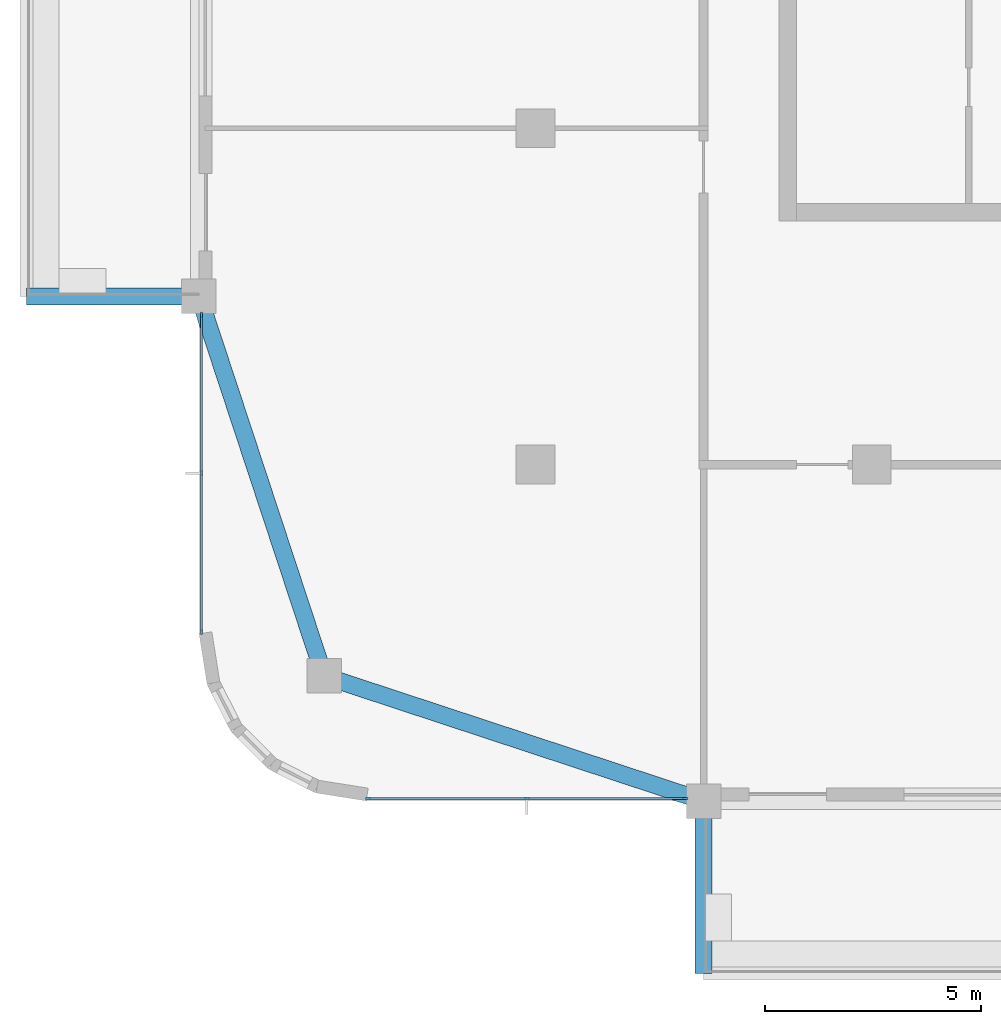
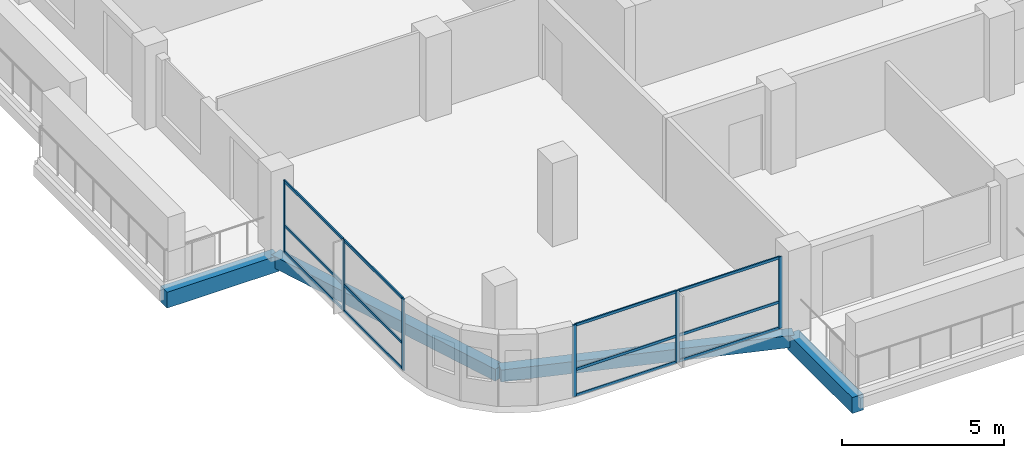
# One storey, part 2 of 22: 18 members, 4 beams, 2 elements without a shape of their own.
"""IFC4 building model written with IfcOpenShell, lengths in metres."""

from ifc_helpers import new_model, si_unit, direction, frame, origin, origin_2d, place, context, subcontext, project, spatial, rectangle, extrude, material, material_profile, profile_set, type_object, element, aggregate, save


model = new_model("IFC4")

# Units and contexts
model_context = context("Model", 3, precision=1e-05, world=origin(), true_north=direction((0.0, 1.0)))
body_context = subcontext(model_context, "Body", "Model", "MODEL_VIEW")
ifc_project = project(units=[si_unit("LENGTHUNIT", "METRE"), si_unit("AREAUNIT", "SQUARE_METRE"), si_unit("VOLUMEUNIT", "CUBIC_METRE"), si_unit("PLANEANGLEUNIT", "RADIAN"), si_unit("MASSUNIT", "GRAM", prefix="KILO")], contexts=[model_context])

# Site, building, storey
site_placement = place(None, origin())
site = spatial("IfcSite", under=ifc_project, at=site_placement, CompositionType="ELEMENT")
building_placement = place(site_placement, origin())
building = spatial("IfcBuilding", under=site, at=building_placement, Name="Ludao Terraces", CompositionType="ELEMENT")
storey_placement = place(building_placement, frame((0.0, 0.0, 200.699951171875)))
storey = spatial("IfcBuildingStorey", under=building, at=storey_placement, Name="L54", CompositionType="ELEMENT", Elevation=200.699951171875)

# Curtain wall, members
ifc_material_1 = material(Name="Aluminium curtain wall with fritted glass", Category="aluminium")
curtain_wall_type = type_object("IfcCurtainWallType", Name="ENV CW3 community glazing", PredefinedType="NOTDEFINED", material=ifc_material_1)
curtain_wall_1_placement = place(storey_placement, origin())
curtain_wall_1 = element("IfcCurtainWall", 1, at=curtain_wall_1_placement, inside=storey, type_object=curtain_wall_type, Name="Community floor glazing L54 S1", PredefinedType="NOTDEFINED")
ifc_material_2 = material(Name="Aluminium 6063-T6", Category="aluminium")
ifc_material_profile_1 = material_profile(ifc_material_2, rectangle(XDim=0.050048828125, YDim=0.1201171875, at=origin_2d()), Name="50 X 120")
ifc_profile_set_1 = profile_set([ifc_material_profile_1], Name="Aluminium 6063-T6")
member_type_1 = type_object("IfcMemberType", Name="ENV CW3 mullion 50x120", PredefinedType="MULLION", material=ifc_profile_set_1)
member_1_placement = place(storey_placement, frame((65.52490234375, 41.659912109375, 0.0), z_axis=(0.0, 0.0, 1.0), x_axis=(0.0, 1.0, 0.0)))
member_1 = element("IfcMember", 2, at=member_1_placement, type_object=member_type_1, Name="CW3 mullion 1", PredefinedType="MULLION", context=body_context, shape_type="SweptSolid", body=[
    extrude(rectangle(XDim=0.050048828125, YDim=0.1201171875, at=origin_2d()), origin(), (0.0, 0.0, 1.0), 2.699951171875),
])
member_2_placement = place(storey_placement, frame((69.199951171875, 41.659912109375, 0.0), z_axis=(0.0, 0.0, 1.0), x_axis=(0.0, 1.0, 0.0)))
member_2 = element("IfcMember", 3, at=member_2_placement, type_object=member_type_1, Name="CW3 mullion 2", PredefinedType="MULLION", context=body_context, shape_type="SweptSolid", body=[
    extrude(rectangle(XDim=0.050048828125, YDim=0.1201171875, at=origin_2d()), origin(), (0.0, 0.0, 1.0), 2.699951171875),
])
member_3_placement = place(storey_placement, frame((72.875, 41.659912109375, 0.0), z_axis=(0.0, 0.0, 1.0), x_axis=(0.0, 1.0, 0.0)))
member_3 = element("IfcMember", 4, at=member_3_placement, type_object=member_type_1, Name="CW3 mullion 3", PredefinedType="MULLION", context=body_context, shape_type="SweptSolid", body=[
    extrude(rectangle(XDim=0.050048828125, YDim=0.1201171875, at=origin_2d()), origin(), (0.0, 0.0, 1.0), 2.699951171875),
])

curtain_wall_2_placement = place(storey_placement, origin())
curtain_wall_2 = element("IfcCurtainWall", 5, at=curtain_wall_2_placement, inside=storey, type_object=curtain_wall_type, Name="Community floor glazing L54 W1", PredefinedType="NOTDEFINED")
member_4_placement = place(storey_placement, frame((61.659912109375, 45.52490234375, 0.0), z_axis=(0.0, 0.0, 1.0), x_axis=(-1.0, 0.0, 0.0)))
member_4 = element("IfcMember", 6, at=member_4_placement, type_object=member_type_1, Name="CW3 mullion 1", PredefinedType="MULLION", context=body_context, shape_type="SweptSolid", body=[
    extrude(rectangle(XDim=0.050048828125, YDim=0.1201171875, at=origin_2d()), origin(), (0.0, 0.0, 1.0), 2.699951171875),
])
member_5_placement = place(storey_placement, frame((61.659912109375, 49.199951171875, 0.0), z_axis=(0.0, 0.0, 1.0), x_axis=(-1.0, 0.0, 0.0)))
member_5 = element("IfcMember", 7, at=member_5_placement, type_object=member_type_1, Name="CW3 mullion 2", PredefinedType="MULLION", context=body_context, shape_type="SweptSolid", body=[
    extrude(rectangle(XDim=0.050048828125, YDim=0.1201171875, at=origin_2d()), origin(), (0.0, 0.0, 1.0), 2.699951171875),
])
member_6_placement = place(storey_placement, frame((61.659912109375, 52.875, 0.0), z_axis=(0.0, 0.0, 1.0), x_axis=(-1.0, 0.0, 0.0)))
member_6 = element("IfcMember", 8, at=member_6_placement, type_object=member_type_1, Name="CW3 mullion 3", PredefinedType="MULLION", context=body_context, shape_type="SweptSolid", body=[
    extrude(rectangle(XDim=0.050048828125, YDim=0.1201171875, at=origin_2d()), origin(), (0.0, 0.0, 1.0), 2.699951171875),
])

# Member
ifc_material_profile_2 = material_profile(ifc_material_2, rectangle(XDim=0.050048828125, YDim=0.10009765625, at=origin_2d()), Name="50 X 100")
ifc_profile_set_2 = profile_set([ifc_material_profile_2], Name="Aluminium 6063-T6")
member_type_2 = type_object("IfcMemberType", Name="ENV CW3 transom 50x100", PredefinedType="USERDEFINED", material=ifc_profile_set_2)
member_7_placement = place(storey_placement, frame((65.550048828125, 41.659912109375, 0.025146484375), z_axis=(1.0, 0.0, 0.0), x_axis=(0.0, 1.0, 0.0)))
member_7 = element("IfcMember", 9, at=member_7_placement, type_object=member_type_2, Name="CW3 transom 1.1", ObjectType="TRANSOM", PredefinedType="USERDEFINED", context=body_context, shape_type="SweptSolid", body=[
    extrude(rectangle(XDim=0.050048828125, YDim=0.10009765625, at=origin_2d()), origin(), (0.0, 0.0, 1.0), 3.625),
])

member_8_placement = place(storey_placement, frame((65.550048828125, 41.659912109375, 1.0), z_axis=(1.0, 0.0, 0.0), x_axis=(0.0, 1.0, 0.0)))
member_8 = element("IfcMember", 10, at=member_8_placement, type_object=member_type_2, Name="CW3 transom 1.2", ObjectType="TRANSOM", PredefinedType="USERDEFINED", context=body_context, shape_type="SweptSolid", body=[
    extrude(rectangle(XDim=0.050048828125, YDim=0.10009765625, at=origin_2d()), origin(), (0.0, 0.0, 1.0), 3.625),
])

member_9_placement = place(storey_placement, frame((65.550048828125, 41.659912109375, 2.675048828125), z_axis=(1.0, 0.0, 0.0), x_axis=(0.0, 1.0, 0.0)))
member_9 = element("IfcMember", 11, at=member_9_placement, type_object=member_type_2, Name="CW3 transom 1.3", ObjectType="TRANSOM", PredefinedType="USERDEFINED", context=body_context, shape_type="SweptSolid", body=[
    extrude(rectangle(XDim=0.050048828125, YDim=0.10009765625, at=origin_2d()), origin(), (0.0, 0.0, 1.0), 3.625),
])

member_10_placement = place(storey_placement, frame((69.22509765625, 41.659912109375, 0.025146484375), z_axis=(1.0, 0.0, 0.0), x_axis=(0.0, 1.0, 0.0)))
member_10 = element("IfcMember", 12, at=member_10_placement, type_object=member_type_2, Name="CW3 transom 2.1", ObjectType="TRANSOM", PredefinedType="USERDEFINED", context=body_context, shape_type="SweptSolid", body=[
    extrude(rectangle(XDim=0.050048828125, YDim=0.10009765625, at=origin_2d()), origin(), (0.0, 0.0, 1.0), 3.625),
])

member_11_placement = place(storey_placement, frame((69.22509765625, 41.659912109375, 1.0), z_axis=(1.0, 0.0, 0.0), x_axis=(0.0, 1.0, 0.0)))
member_11 = element("IfcMember", 13, at=member_11_placement, type_object=member_type_2, Name="CW3 transom 2.2", ObjectType="TRANSOM", PredefinedType="USERDEFINED", context=body_context, shape_type="SweptSolid", body=[
    extrude(rectangle(XDim=0.050048828125, YDim=0.10009765625, at=origin_2d()), origin(), (0.0, 0.0, 1.0), 3.625),
])

member_12_placement = place(storey_placement, frame((69.22509765625, 41.659912109375, 2.675048828125), z_axis=(1.0, 0.0, 0.0), x_axis=(0.0, 1.0, 0.0)))
member_12 = element("IfcMember", 14, at=member_12_placement, type_object=member_type_2, Name="CW3 transom 2.3", ObjectType="TRANSOM", PredefinedType="USERDEFINED", context=body_context, shape_type="SweptSolid", body=[
    extrude(rectangle(XDim=0.050048828125, YDim=0.10009765625, at=origin_2d()), origin(), (0.0, 0.0, 1.0), 3.625),
])

aggregate(curtain_wall_1, [member_1, member_2, member_3, member_7, member_8, member_9, member_10, member_11, member_12])

member_13_placement = place(storey_placement, frame((61.659912109375, 45.550048828125, 0.025146484375), z_axis=(0.0, 1.0, 0.0), x_axis=(-1.0, 0.0, 0.0)))
member_13 = element("IfcMember", 15, at=member_13_placement, type_object=member_type_2, Name="CW3 transom 1.1", ObjectType="TRANSOM", PredefinedType="USERDEFINED", context=body_context, shape_type="SweptSolid", body=[
    extrude(rectangle(XDim=0.050048828125, YDim=0.10009765625, at=origin_2d()), origin(), (0.0, 0.0, 1.0), 3.625),
])

member_14_placement = place(storey_placement, frame((61.659912109375, 45.550048828125, 1.0), z_axis=(0.0, 1.0, 0.0), x_axis=(-1.0, 0.0, 0.0)))
member_14 = element("IfcMember", 16, at=member_14_placement, type_object=member_type_2, Name="CW3 transom 1.2", ObjectType="TRANSOM", PredefinedType="USERDEFINED", context=body_context, shape_type="SweptSolid", body=[
    extrude(rectangle(XDim=0.050048828125, YDim=0.10009765625, at=origin_2d()), origin(), (0.0, 0.0, 1.0), 3.625),
])

member_15_placement = place(storey_placement, frame((61.659912109375, 45.550048828125, 2.675048828125), z_axis=(0.0, 1.0, 0.0), x_axis=(-1.0, 0.0, 0.0)))
member_15 = element("IfcMember", 17, at=member_15_placement, type_object=member_type_2, Name="CW3 transom 1.3", ObjectType="TRANSOM", PredefinedType="USERDEFINED", context=body_context, shape_type="SweptSolid", body=[
    extrude(rectangle(XDim=0.050048828125, YDim=0.10009765625, at=origin_2d()), origin(), (0.0, 0.0, 1.0), 3.625),
])

member_16_placement = place(storey_placement, frame((61.659912109375, 49.22509765625, 0.025146484375), z_axis=(0.0, 1.0, 0.0), x_axis=(-1.0, 0.0, 0.0)))
member_16 = element("IfcMember", 18, at=member_16_placement, type_object=member_type_2, Name="CW3 transom 2.1", ObjectType="TRANSOM", PredefinedType="USERDEFINED", context=body_context, shape_type="SweptSolid", body=[
    extrude(rectangle(XDim=0.050048828125, YDim=0.10009765625, at=origin_2d()), origin(), (0.0, 0.0, 1.0), 3.625),
])

member_17_placement = place(storey_placement, frame((61.659912109375, 49.22509765625, 1.0), z_axis=(0.0, 1.0, 0.0), x_axis=(-1.0, 0.0, 0.0)))
member_17 = element("IfcMember", 19, at=member_17_placement, type_object=member_type_2, Name="CW3 transom 2.2", ObjectType="TRANSOM", PredefinedType="USERDEFINED", context=body_context, shape_type="SweptSolid", body=[
    extrude(rectangle(XDim=0.050048828125, YDim=0.10009765625, at=origin_2d()), origin(), (0.0, 0.0, 1.0), 3.625),
])

member_18_placement = place(storey_placement, frame((61.659912109375, 49.22509765625, 2.675048828125), z_axis=(0.0, 1.0, 0.0), x_axis=(-1.0, 0.0, 0.0)))
member_18 = element("IfcMember", 20, at=member_18_placement, type_object=member_type_2, Name="CW3 transom 2.3", ObjectType="TRANSOM", PredefinedType="USERDEFINED", context=body_context, shape_type="SweptSolid", body=[
    extrude(rectangle(XDim=0.050048828125, YDim=0.10009765625, at=origin_2d()), origin(), (0.0, 0.0, 1.0), 3.625),
])

aggregate(curtain_wall_2, [member_4, member_5, member_6, member_13, member_14, member_15, member_16, member_17, member_18])

# Beams
ifc_material_3 = material(Name="Concrete C40", Category="concrete")
ifc_material_profile_3 = material_profile(ifc_material_3, rectangle(XDim=0.39990234375, YDim=0.449951171875, at=origin_2d()), Name="400 X 450")
ifc_profile_set_3 = profile_set([ifc_material_profile_3], Name="Concrete C40")
beam_type_1 = type_object("IfcBeamType", Name="RC beam 400x450 C40", PredefinedType="BEAM", material=ifc_profile_set_3)
for number, where, z_axis, x_axis, name in (
    (21, (64.5, 44.5, -0.474853515625), (0.949760691408, -0.312977042379, 0.0), (0.312977042379, 0.949760691408, 0.0), "Spandrel beam L54 S1"),
    (22, (64.5, 44.5, -0.474853515625), (-0.312977042379, 0.949760691408, 0.0), (-0.949760691408, -0.312977042379, 0.0), "Spandrel beam L54 W8"),
):
    element("IfcBeam", number, at=place(storey_placement, frame(where, z_axis=z_axis, x_axis=x_axis)), inside=storey, type_object=beam_type_1, Name=name, PredefinedType="BEAM", context=body_context, shape_type="SweptSolid", body=[
        extrude(rectangle(XDim=0.39990234375, YDim=0.449951171875, at=origin_2d()), origin(), (0.0, 0.0, 1.0), 9.265625),
    ])
ifc_material_profile_4 = material_profile(ifc_material_3, rectangle(XDim=0.39990234375, YDim=0.60009765625, at=origin_2d()), Name="400 X 600")
ifc_profile_set_4 = profile_set([ifc_material_profile_4], Name="Concrete C40")
beam_type_2 = type_object("IfcBeamType", Name="RC beam 400x600 C40", PredefinedType="BEAM", material=ifc_profile_set_4)
for number, where, z_axis, x_axis, name in (
    (23, (73.300048828125, 41.60009765625, -0.550048828125), (0.0, -1.0, 0.0), (1.0, 0.0, 0.0), "Balcony beam L54 S733"),
    (24, (61.60009765625, 53.300048828125, -0.550048828125), (-1.0, 0.0, 0.0), (0.0, -1.0, 0.0), "Balcony beam L54 W533"),
):
    element("IfcBeam", number, at=place(storey_placement, frame(where, z_axis=z_axis, x_axis=x_axis)), inside=storey, type_object=beam_type_2, Name=name, PredefinedType="BEAM", context=body_context, shape_type="SweptSolid", body=[
        extrude(rectangle(XDim=0.39990234375, YDim=0.60009765625, at=origin_2d()), origin(), (0.0, 0.0, 1.0), 4.0),
    ])

save(model, "model.ifc")
